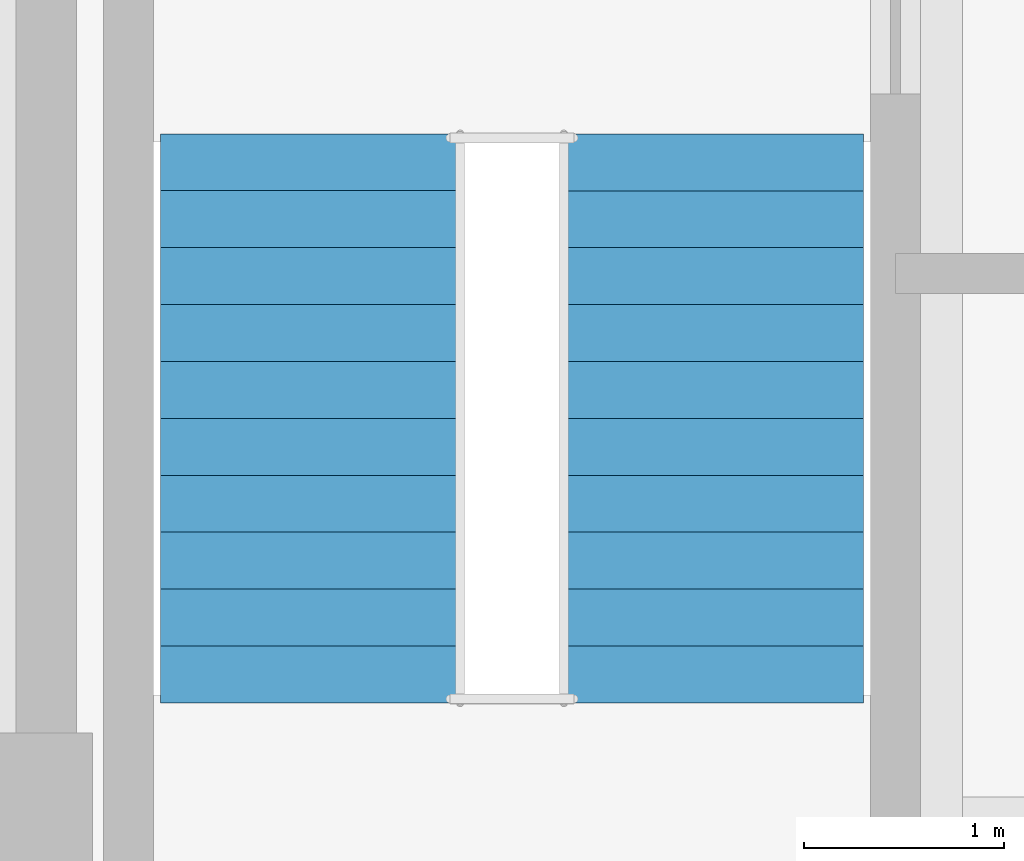
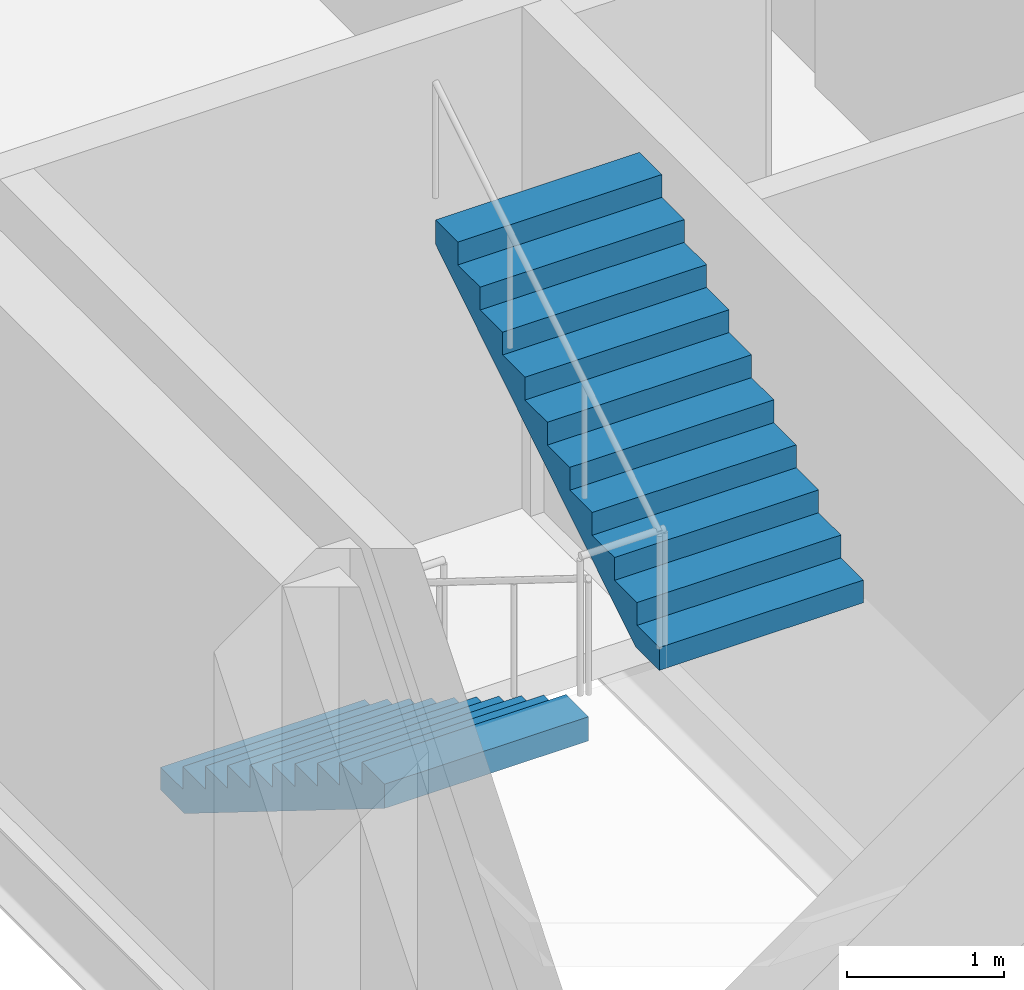
# One storey, part 6 of 8: 2 stair flights, 1 element without a shape of its own.
"""IFC4 building model written with IfcOpenShell, lengths in metres."""

from ifc_helpers import new_model, si_unit, direction, frame, origin, place, context, subcontext, project, spatial, polyline, outline, extrude, material, type_object, element, aggregate, save


model = new_model("IFC4")

# Units and contexts
model_context = context("Model", 3, precision=1e-05, world=origin(), true_north=direction((0.0, 1.0)))
body_context = subcontext(model_context, "Body", "Model", "MODEL_VIEW")
ifc_project = project(units=[si_unit("LENGTHUNIT", "METRE"), si_unit("AREAUNIT", "SQUARE_METRE"), si_unit("VOLUMEUNIT", "CUBIC_METRE"), si_unit("PLANEANGLEUNIT", "RADIAN"), si_unit("MASSUNIT", "GRAM", prefix="KILO")], contexts=[model_context])

# Site, building, storey
site_placement = place(None, origin())
site = spatial("IfcSite", under=ifc_project, at=site_placement, CompositionType="ELEMENT")
building_placement = place(site_placement, origin())
building = spatial("IfcBuilding", under=site, at=building_placement, Name="Mawjdan Bourse Tower", CompositionType="ELEMENT")
storey_placement = place(building_placement, frame((0.0, 0.0, 144.0)))
storey = spatial("IfcBuildingStorey", under=building, at=storey_placement, Name="L34", CompositionType="ELEMENT", Elevation=144.0)

# Stair, stair flights
ifc_material = material(Name="Concrete C50/60", Category="concrete")
stair_type = type_object("IfcStairType", Name="STR-CORE-1500", PredefinedType="HALF_TURN_STAIR", material=ifc_material)
stair_placement = place(storey_placement, origin())
stair = element("IfcStair", 1, at=stair_placement, inside=storey, type_object=stair_type, Name="L34 Exit Stair 3 (North Wing)", PredefinedType="HALF_TURN_STAIR")
stair_flight_type = type_object("IfcStairFlightType", Name="SFL-RC-1500", PredefinedType="STRAIGHT", material=ifc_material)
stair_flight_1_placement = place(storey_placement, frame((7.590087890625, 27.5, 0.0), z_axis=(0.0, 0.0, 1.0), x_axis=(0.0, -1.0, 0.0)))
stair_flight_1 = element("IfcStairFlight", 2, at=stair_flight_1_placement, type_object=stair_flight_type, Name="ST3-L34 flight 1", NumberOfRisers=11, NumberOfTreads=10, PredefinedType="STRAIGHT", RiserHeight=0.177273, TreadLength=0.285, context=body_context, shape_type="SweptSolid", body=[
    extrude(outline(polyline([(0.0, 0.0), (0.0, 0.17724609375), (0.284912109375, 0.17724609375), (0.284912109375, 0.3544921875), (0.570068359375, 0.3544921875), (0.570068359375, 0.53173828125), (0.85498046875, 0.53173828125), (0.85498046875, 0.708984375), (1.139892578125, 0.708984375), (1.139892578125, 0.886474609375), (1.425048828125, 0.886474609375), (1.425048828125, 1.063720703125), (1.7099609375, 1.063720703125), (1.7099609375, 1.240966796875), (1.9951171875, 1.240966796875), (1.9951171875, 1.418212890625), (2.280029296875, 1.418212890625), (2.280029296875, 1.595458984375), (2.56494140625, 1.595458984375), (2.56494140625, 1.772705078125), (2.85009765625, 1.772705078125), (2.85009765625, 1.949951171875), (2.85009765625, 1.58447265625), (0.302734375, 0.0), (0.0, 0.0)])), frame((0.0, 0.75, 0.0), z_axis=(0.0, -1.0, 0.0), x_axis=(1.0, 0.0, 0.0)), (0.0, 0.0, 1.0), 1.5),
])
stair_flight_2_placement = place(storey_placement, frame((9.610107421875, 24.64990234375, 1.949951171875), z_axis=(0.0, 0.0, 1.0), x_axis=(0.0, 1.0, 0.0)))
stair_flight_2 = element("IfcStairFlight", 3, at=stair_flight_2_placement, type_object=stair_flight_type, Name="ST3-L34 flight 2", NumberOfRisers=11, NumberOfTreads=10, PredefinedType="STRAIGHT", RiserHeight=0.177273, TreadLength=0.285, context=body_context, shape_type="SweptSolid", body=[
    extrude(outline(polyline([(0.0, 0.0), (0.0, 0.17724609375), (0.284912109375, 0.17724609375), (0.284912109375, 0.3544921875), (0.570068359375, 0.3544921875), (0.570068359375, 0.53173828125), (0.85498046875, 0.53173828125), (0.85498046875, 0.708984375), (1.139892578125, 0.708984375), (1.139892578125, 0.886474609375), (1.425048828125, 0.886474609375), (1.425048828125, 1.063720703125), (1.7099609375, 1.063720703125), (1.7099609375, 1.240966796875), (1.9951171875, 1.240966796875), (1.9951171875, 1.418212890625), (2.280029296875, 1.418212890625), (2.280029296875, 1.595458984375), (2.56494140625, 1.595458984375), (2.56494140625, 1.772705078125), (2.85009765625, 1.772705078125), (2.85009765625, 1.949951171875), (2.85009765625, 1.58447265625), (0.302734375, 0.0), (0.0, 0.0)])), frame((0.0, 0.75, 0.0), z_axis=(0.0, -1.0, 0.0), x_axis=(1.0, 0.0, 0.0)), (0.0, 0.0, 1.0), 1.5),
])
aggregate(stair, [stair_flight_1, stair_flight_2])

save(model, "model.ifc")
